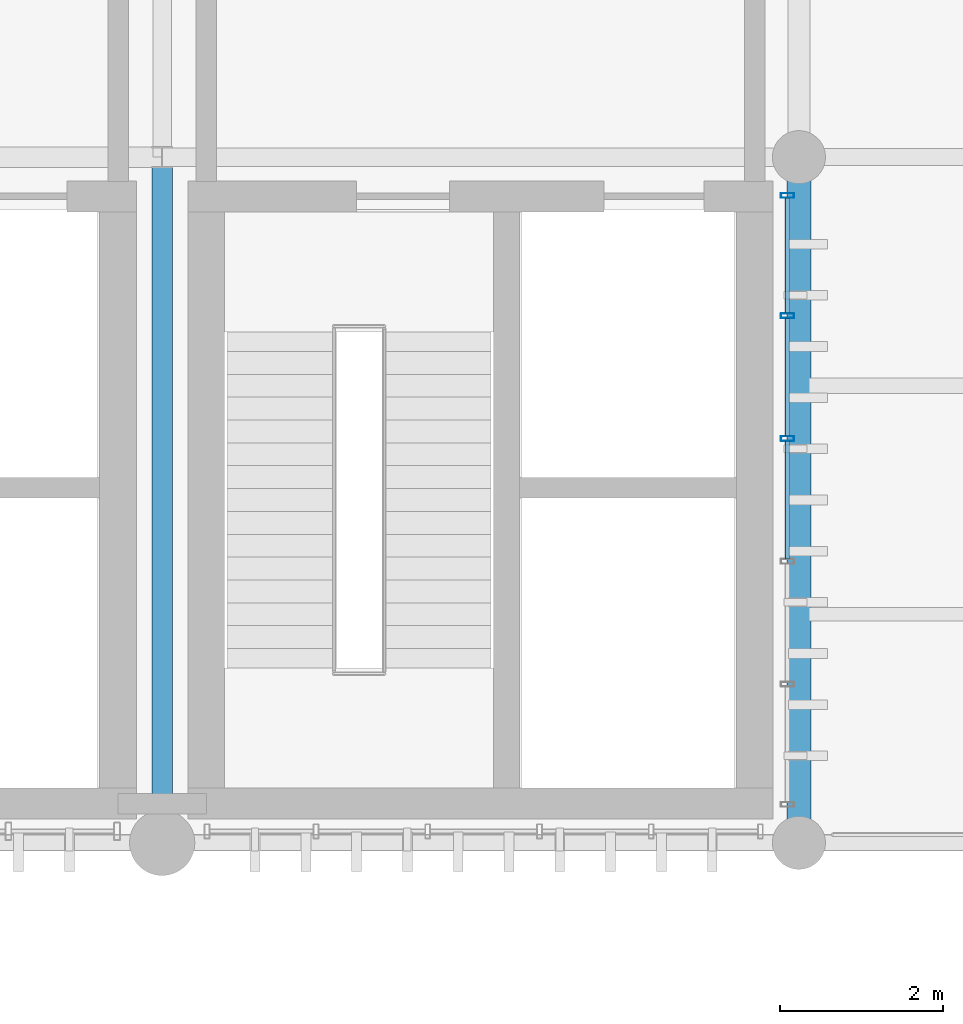
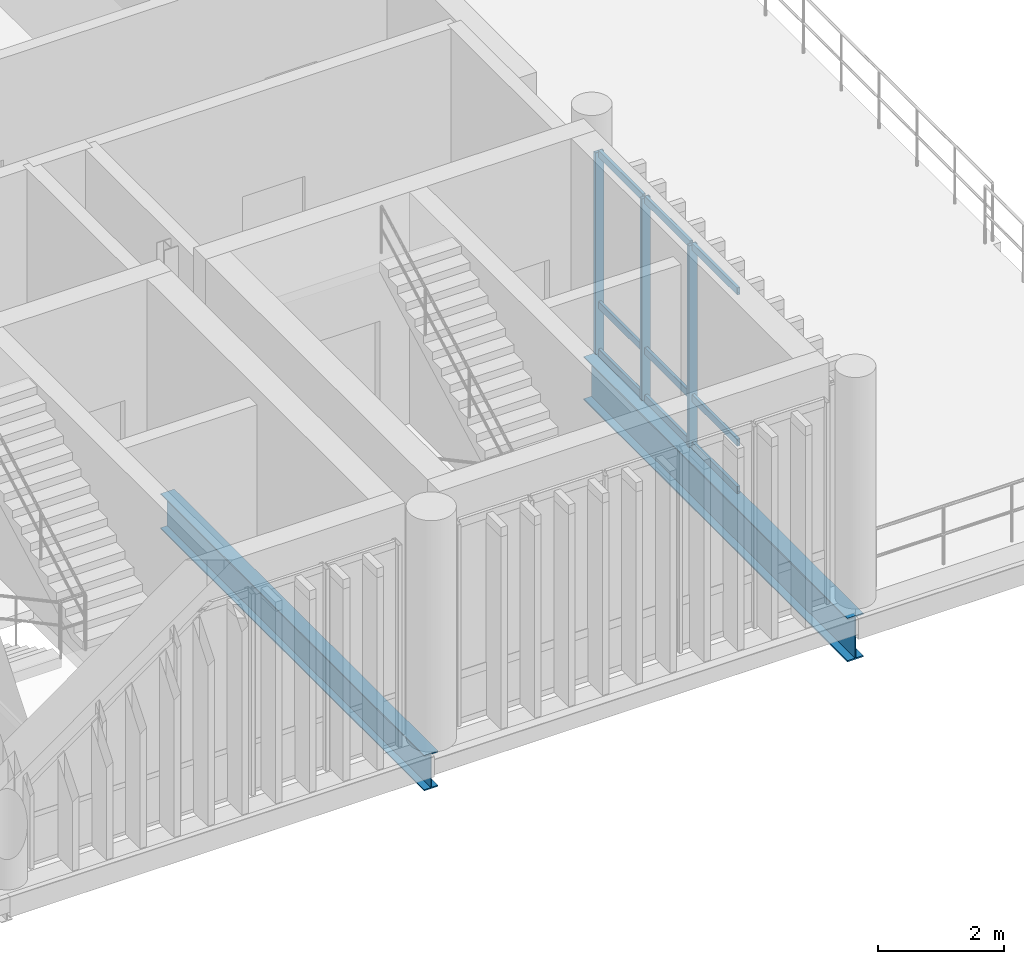
# One storey, part 8 of 19: 12 members, 2 beams, 1 element without a shape of its own.
"""IFC4 building model written with IfcOpenShell, lengths in metres."""

from ifc_helpers import new_model, si_unit, direction, frame, origin_with_axes, origin_2d_with_axis, place, context, subcontext, project, spatial, hollow_rectangle, i_section, extrude, material, material_profile, profile_set, type_object, element, aggregate, save


model = new_model("IFC4")

# Units and contexts
model_context = context("Model", 3, precision=1e-05, world=origin_with_axes(), true_north=direction((0.0, 1.0)))
body_context = subcontext(model_context, "Body", "Model", "MODEL_VIEW")
ifc_project = project(units=[si_unit("LENGTHUNIT", "METRE"), si_unit("AREAUNIT", "SQUARE_METRE"), si_unit("VOLUMEUNIT", "CUBIC_METRE"), si_unit("PLANEANGLEUNIT", "RADIAN"), si_unit("MASSUNIT", "GRAM", prefix="KILO"), si_unit("THERMODYNAMICTEMPERATUREUNIT", "KELVIN")], contexts=[model_context])

# Site, building, storey
site_placement = place(None, origin_with_axes())
site = spatial("IfcSite", under=ifc_project, at=site_placement, CompositionType="ELEMENT")
building_placement = place(site_placement, origin_with_axes())
building = spatial("IfcBuilding", under=site, at=building_placement, Name="Montbau Bow Law Courts", CompositionType="ELEMENT")
storey_placement = place(building_placement, frame((0.0, 0.0, 43.5), z_axis=(0.0, 0.0, 1.0), x_axis=(1.0, 0.0, 0.0)))
storey = spatial("IfcBuildingStorey", under=building, at=storey_placement, Name="L09", CompositionType="ELEMENT", Elevation=43.5)

# Beams
ifc_material_1 = material(Name="Steel CSA G40.21 Grade 350W (350 MPa)", Category="steel")
ifc_material_profile_1 = material_profile(ifc_material_1, i_section(OverallWidth=0.293, OverallDepth=0.846, WebThickness=0.0154, FlangeThickness=0.0244, at=origin_2d_with_axis()), Name="W840X210", Category="Main", Priority=0)
ifc_profile_set_1 = profile_set([ifc_material_profile_1], Name="Steel CSA G40.21 Grade 350W (350 MPa)")
beam_type_1 = type_object("IfcBeamType", Name="B-FLR-02", PredefinedType="BEAM", material=ifc_profile_set_1)
beam_1_placement = place(None, frame((162.6, 86.4, 42.717), z_axis=(0.0, 1.0, 0.0), x_axis=(-1.0, 0.0, 0.0)))
element("IfcBeam", 1, at=beam_1_placement, inside=storey, type_object=beam_type_1, Name="BM-L09-S1409:bm2_1412", PredefinedType="BEAM", context=body_context, shape_type="SweptSolid", body=[
    extrude(i_section(OverallWidth=0.293, OverallDepth=0.846, WebThickness=0.0154, FlangeThickness=0.0244, at=origin_2d_with_axis()), origin_with_axes(), (0.0, 0.0, 1.0), 8.4),
])
ifc_material_profile_2 = material_profile(ifc_material_1, i_section(OverallWidth=0.254, OverallDepth=0.688, WebThickness=0.0131, FlangeThickness=0.0211, at=origin_2d_with_axis()), Name="W690X152", Category="Main", Priority=0)
ifc_profile_set_2 = profile_set([ifc_material_profile_2], Name="Steel CSA G40.21 Grade 350W (350 MPa)")
beam_type_2 = type_object("IfcBeamType", Name="B-FLR-04", PredefinedType="BEAM", material=ifc_profile_set_2)
beam_2_placement = place(None, frame((154.8, 86.4, 42.856), z_axis=(0.0, 1.0, 0.0), x_axis=(-1.0, 0.0, 0.0)))
element("IfcBeam", 2, at=beam_2_placement, inside=storey, type_object=beam_type_2, Name="BM-L09-S1406:bm2_1409", PredefinedType="BEAM", context=body_context, shape_type="SweptSolid", body=[
    extrude(i_section(OverallWidth=0.254, OverallDepth=0.688, WebThickness=0.0131, FlangeThickness=0.0211, at=origin_2d_with_axis()), origin_with_axes(), (0.0, 0.0, 1.0), 8.4),
])

# Curtain wall, members
ifc_material_2 = material(Name="Thermally Broken Extruded Aluminium AA 6063-T6", Category="aluminium")
curtain_wall_type = type_object("IfcCurtainWallType", Name="CW-CRM-03", PredefinedType="NOTDEFINED", material=ifc_material_2)
curtain_wall_placement = place(None, frame((162.46, 86.84, 43.5), z_axis=(0.0, 0.0, 1.0), x_axis=(1.0, 0.0, 0.0)))
curtain_wall = element("IfcCurtainWall", 3, at=curtain_wall_placement, inside=storey, type_object=curtain_wall_type, Name="CW-L09-395:cw_0395", PredefinedType="NOTDEFINED")
ifc_material_profile_3 = material_profile(ifc_material_2, hollow_rectangle(XDim=0.06, YDim=0.16, WallThickness=0.004, InnerFilletRadius=0.008, OuterFilletRadius=0.004, at=origin_2d_with_axis()), Name="CWM-160X60", Category="Main", Priority=0)
ifc_profile_set_3 = profile_set([ifc_material_profile_3], Name="Thermally Broken Extruded Aluminium AA 6063-T6")
member_type_1 = type_object("IfcMemberType", Name="M-MUL-03", PredefinedType="MULLION", material=ifc_profile_set_3)
member_1_placement = place(None, frame((162.46, 91.352, 43.5), z_axis=(0.0, 0.0, 1.0), x_axis=(0.0, 1.0, 0.0)))
member_1 = element("IfcMember", 4, at=member_1_placement, type_object=member_type_1, Name="CW-L09-395-M04:cw_0395_M04", PredefinedType="MULLION", context=body_context, shape_type="SweptSolid", body=[
    extrude(hollow_rectangle(XDim=0.06, YDim=0.16, WallThickness=0.004, InnerFilletRadius=0.008, OuterFilletRadius=0.004, at=origin_2d_with_axis()), origin_with_axes(), (0.0, 0.0, 1.0), 3.92),
])
member_2_placement = place(None, frame((162.46, 92.856, 43.5), z_axis=(0.0, 0.0, 1.0), x_axis=(0.0, 1.0, 0.0)))
member_2 = element("IfcMember", 5, at=member_2_placement, type_object=member_type_1, Name="CW-L09-395-M05:cw_0395_M05", PredefinedType="MULLION", context=body_context, shape_type="SweptSolid", body=[
    extrude(hollow_rectangle(XDim=0.06, YDim=0.16, WallThickness=0.004, InnerFilletRadius=0.008, OuterFilletRadius=0.004, at=origin_2d_with_axis()), origin_with_axes(), (0.0, 0.0, 1.0), 3.92),
])
member_3_placement = place(None, frame((162.46, 94.33, 43.5), z_axis=(0.0, 0.0, 1.0), x_axis=(0.0, 1.0, 0.0)))
member_3 = element("IfcMember", 6, at=member_3_placement, type_object=member_type_1, Name="CW-L09-395-M06:cw_0395_M06", PredefinedType="MULLION", context=body_context, shape_type="SweptSolid", body=[
    extrude(hollow_rectangle(XDim=0.06, YDim=0.16, WallThickness=0.004, InnerFilletRadius=0.008, OuterFilletRadius=0.004, at=origin_2d_with_axis()), origin_with_axes(), (0.0, 0.0, 1.0), 3.92),
])
ifc_material_profile_4 = material_profile(ifc_material_2, hollow_rectangle(XDim=0.055, YDim=0.14, WallThickness=0.004, InnerFilletRadius=0.008, OuterFilletRadius=0.004, at=origin_2d_with_axis()), Name="CWT-140X55", Category="Main", Priority=0)
ifc_profile_set_4 = profile_set([ifc_material_profile_4], Name="Thermally Broken Extruded Aluminium AA 6063-T6")
member_type_2 = type_object("IfcMemberType", Name="M-TRN-02", PredefinedType="USERDEFINED", material=ifc_profile_set_4)
member_4_placement = place(None, frame((162.46, 89.88, 43.528), z_axis=(0.0, 1.0, 0.0), x_axis=(-1.0, 0.0, 0.0)))
member_4 = element("IfcMember", 7, at=member_4_placement, type_object=member_type_2, Name="CW-L09-395-T03-1:cw_0395_T03_1", ObjectType="TRANSOM", PredefinedType="USERDEFINED", context=body_context, shape_type="SweptSolid", body=[
    extrude(hollow_rectangle(XDim=0.055, YDim=0.14, WallThickness=0.004, InnerFilletRadius=0.008, OuterFilletRadius=0.004, at=origin_2d_with_axis()), origin_with_axes(), (0.0, 0.0, 1.0), 1.44),
])
member_5_placement = place(None, frame((162.46, 89.88, 44.45), z_axis=(0.0, 1.0, 0.0), x_axis=(-1.0, 0.0, 0.0)))
member_5 = element("IfcMember", 8, at=member_5_placement, type_object=member_type_2, Name="CW-L09-395-T03-2:cw_0395_T03_2", ObjectType="TRANSOM", PredefinedType="USERDEFINED", context=body_context, shape_type="SweptSolid", body=[
    extrude(hollow_rectangle(XDim=0.055, YDim=0.14, WallThickness=0.004, InnerFilletRadius=0.008, OuterFilletRadius=0.004, at=origin_2d_with_axis()), origin_with_axes(), (0.0, 0.0, 1.0), 1.44),
])
member_6_placement = place(None, frame((162.46, 89.88, 47.392), z_axis=(0.0, 1.0, 0.0), x_axis=(-1.0, 0.0, 0.0)))
member_6 = element("IfcMember", 9, at=member_6_placement, type_object=member_type_2, Name="CW-L09-395-T03-3:cw_0395_T03_3", ObjectType="TRANSOM", PredefinedType="USERDEFINED", context=body_context, shape_type="SweptSolid", body=[
    extrude(hollow_rectangle(XDim=0.055, YDim=0.14, WallThickness=0.004, InnerFilletRadius=0.008, OuterFilletRadius=0.004, at=origin_2d_with_axis()), origin_with_axes(), (0.0, 0.0, 1.0), 1.44),
])
member_7_placement = place(None, frame((162.46, 91.384, 43.528), z_axis=(0.0, 1.0, 0.0), x_axis=(-1.0, 0.0, 0.0)))
member_7 = element("IfcMember", 10, at=member_7_placement, type_object=member_type_2, Name="CW-L09-395-T04-1:cw_0395_T04_1", ObjectType="TRANSOM", PredefinedType="USERDEFINED", context=body_context, shape_type="SweptSolid", body=[
    extrude(hollow_rectangle(XDim=0.055, YDim=0.14, WallThickness=0.004, InnerFilletRadius=0.008, OuterFilletRadius=0.004, at=origin_2d_with_axis()), origin_with_axes(), (0.0, 0.0, 1.0), 1.44),
])
member_8_placement = place(None, frame((162.46, 91.384, 44.45), z_axis=(0.0, 1.0, 0.0), x_axis=(-1.0, 0.0, 0.0)))
member_8 = element("IfcMember", 11, at=member_8_placement, type_object=member_type_2, Name="CW-L09-395-T04-2:cw_0395_T04_2", ObjectType="TRANSOM", PredefinedType="USERDEFINED", context=body_context, shape_type="SweptSolid", body=[
    extrude(hollow_rectangle(XDim=0.055, YDim=0.14, WallThickness=0.004, InnerFilletRadius=0.008, OuterFilletRadius=0.004, at=origin_2d_with_axis()), origin_with_axes(), (0.0, 0.0, 1.0), 1.44),
])
member_9_placement = place(None, frame((162.46, 91.384, 47.392), z_axis=(0.0, 1.0, 0.0), x_axis=(-1.0, 0.0, 0.0)))
member_9 = element("IfcMember", 12, at=member_9_placement, type_object=member_type_2, Name="CW-L09-395-T04-3:cw_0395_T04_3", ObjectType="TRANSOM", PredefinedType="USERDEFINED", context=body_context, shape_type="SweptSolid", body=[
    extrude(hollow_rectangle(XDim=0.055, YDim=0.14, WallThickness=0.004, InnerFilletRadius=0.008, OuterFilletRadius=0.004, at=origin_2d_with_axis()), origin_with_axes(), (0.0, 0.0, 1.0), 1.44),
])
member_10_placement = place(None, frame((162.46, 92.888, 43.528), z_axis=(0.0, 1.0, 0.0), x_axis=(-1.0, 0.0, 0.0)))
member_10 = element("IfcMember", 13, at=member_10_placement, type_object=member_type_2, Name="CW-L09-395-T05-1:cw_0395_T05_1", ObjectType="TRANSOM", PredefinedType="USERDEFINED", context=body_context, shape_type="SweptSolid", body=[
    extrude(hollow_rectangle(XDim=0.055, YDim=0.14, WallThickness=0.004, InnerFilletRadius=0.008, OuterFilletRadius=0.004, at=origin_2d_with_axis()), origin_with_axes(), (0.0, 0.0, 1.0), 1.41),
])
member_11_placement = place(None, frame((162.46, 92.888, 44.45), z_axis=(0.0, 1.0, 0.0), x_axis=(-1.0, 0.0, 0.0)))
member_11 = element("IfcMember", 14, at=member_11_placement, type_object=member_type_2, Name="CW-L09-395-T05-2:cw_0395_T05_2", ObjectType="TRANSOM", PredefinedType="USERDEFINED", context=body_context, shape_type="SweptSolid", body=[
    extrude(hollow_rectangle(XDim=0.055, YDim=0.14, WallThickness=0.004, InnerFilletRadius=0.008, OuterFilletRadius=0.004, at=origin_2d_with_axis()), origin_with_axes(), (0.0, 0.0, 1.0), 1.41),
])
member_12_placement = place(None, frame((162.46, 92.888, 47.392), z_axis=(0.0, 1.0, 0.0), x_axis=(-1.0, 0.0, 0.0)))
member_12 = element("IfcMember", 15, at=member_12_placement, type_object=member_type_2, Name="CW-L09-395-T05-3:cw_0395_T05_3", ObjectType="TRANSOM", PredefinedType="USERDEFINED", context=body_context, shape_type="SweptSolid", body=[
    extrude(hollow_rectangle(XDim=0.055, YDim=0.14, WallThickness=0.004, InnerFilletRadius=0.008, OuterFilletRadius=0.004, at=origin_2d_with_axis()), origin_with_axes(), (0.0, 0.0, 1.0), 1.41),
])
aggregate(curtain_wall, [member_1, member_2, member_3, member_4, member_5, member_6, member_7, member_8, member_9, member_10, member_11, member_12])

save(model, "model.ifc")
